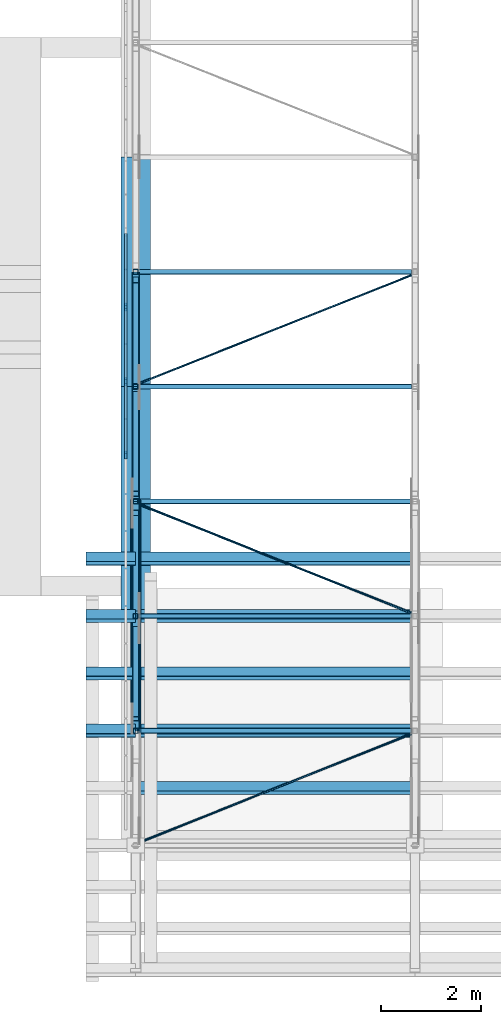
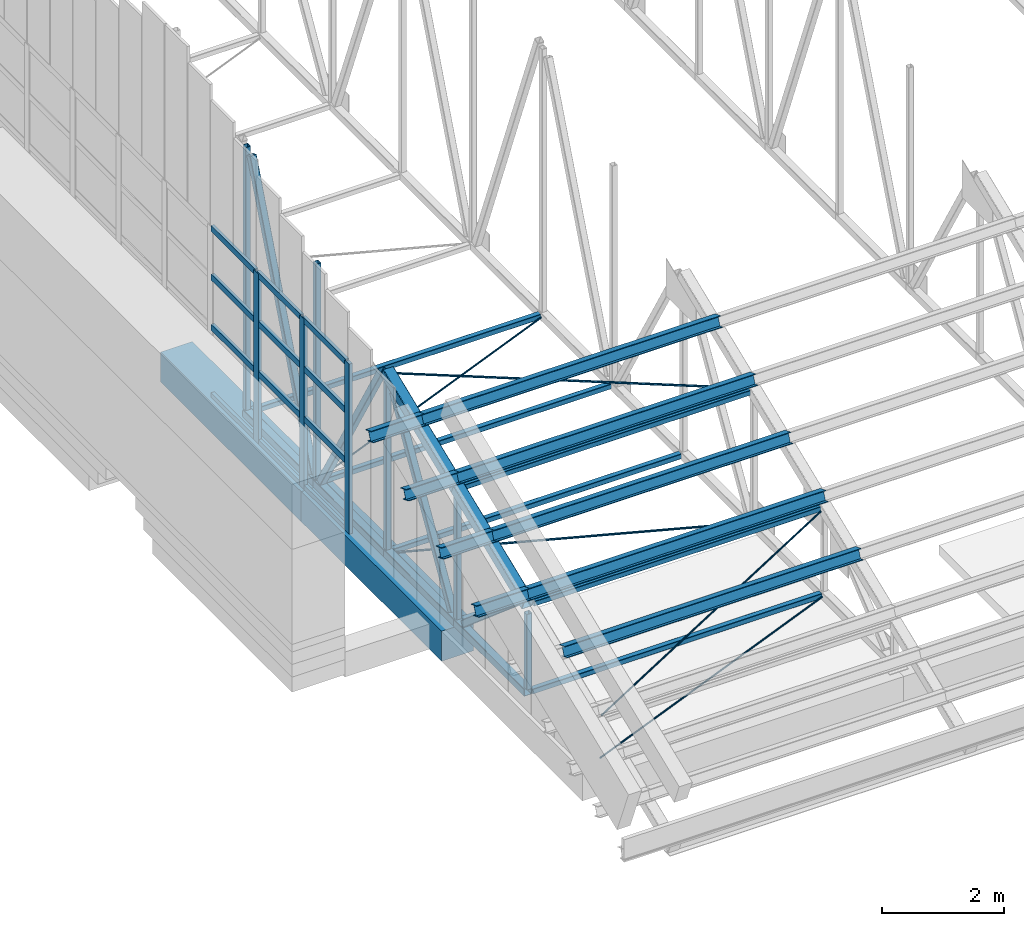
# One storey, part 4 of 71: 51 members, 2 beams, 1 element without a shape of its own.
"""IFC4 building model written with IfcOpenShell, lengths in metres."""

from ifc_helpers import new_model, si_unit, direction, frame, origin, origin_2d, place, context, subcontext, project, spatial, rectangle, hollow_rectangle, circle, i_section, extrude, material, layer, layer_set, material_profile, profile_set, type_object, element, aggregate, save


model = new_model("IFC4")

# Units and contexts
model_context = context("Model", 3, precision=1e-05, world=origin(), true_north=direction((0.0, 1.0)))
body_context = subcontext(model_context, "Body", "Model", "MODEL_VIEW")
ifc_project = project(units=[si_unit("LENGTHUNIT", "METRE"), si_unit("AREAUNIT", "SQUARE_METRE"), si_unit("VOLUMEUNIT", "CUBIC_METRE"), si_unit("PLANEANGLEUNIT", "RADIAN"), si_unit("MASSUNIT", "GRAM", prefix="KILO")], contexts=[model_context])

# Site, building, storey
site_placement = place(None, origin())
site = spatial("IfcSite", under=ifc_project, at=site_placement, CompositionType="ELEMENT")
building_placement = place(site_placement, origin())
building = spatial("IfcBuilding", under=site, at=building_placement, Name="Wasatch Bagh Community Centre", CompositionType="ELEMENT")
storey_placement = place(building_placement, frame((0.0, 0.0, 12.60009765625)))
storey = spatial("IfcBuildingStorey", under=building, at=storey_placement, Name="L03", CompositionType="ELEMENT", Elevation=12.60009765625)

# Members
ifc_material_1 = material(Name="ASTM A500 Grade C steel", Category="steel")
ifc_material_profile_1 = material_profile(ifc_material_1, hollow_rectangle(XDim=0.1015625, YDim=0.1015625, WallThickness=0.005859375, InnerFilletRadius=0.005859375, OuterFilletRadius=0.01171875, at=origin_2d()), Name="HSS4x4x1/4")
ifc_profile_set_1 = profile_set([ifc_material_profile_1], Name="ASTM A500 Grade C steel")
member_type_1 = type_object("IfcMemberType", Name="SH HSS4x4x1/4 post", PredefinedType="POST", material=ifc_profile_set_1)
member_1_placement = place(storey_placement, frame((112.199951171875, 40.5, 0.76220703125), z_axis=(0.0, 0.0, 1.0), x_axis=(1.0, 0.0, 0.0)))
element("IfcMember", 1, at=member_1_placement, inside=storey, type_object=member_type_1, Name="SH.SA1.PS02", PredefinedType="POST", context=body_context, shape_type="SweptSolid", body=[
    extrude(hollow_rectangle(XDim=0.1015625, YDim=0.1015625, WallThickness=0.005859375, InnerFilletRadius=0.005859375, OuterFilletRadius=0.01171875, at=origin_2d()), origin(), (0.0, 0.0, 1.0), 1.504638671875),
])
member_2_placement = place(storey_placement, frame((112.199951171875, 42.800048828125, 0.76220703125), z_axis=(0.0, 0.0, 1.0), x_axis=(1.0, 0.0, 0.0)))
element("IfcMember", 2, at=member_2_placement, inside=storey, type_object=member_type_1, Name="SH.SA1.PS03", PredefinedType="POST", context=body_context, shape_type="SweptSolid", body=[
    extrude(hollow_rectangle(XDim=0.1015625, YDim=0.1015625, WallThickness=0.005859375, InnerFilletRadius=0.005859375, OuterFilletRadius=0.01171875, at=origin_2d()), origin(), (0.0, 0.0, 1.0), 2.44189453125),
])
member_3_placement = place(storey_placement, frame((112.199951171875, 45.10009765625, 0.76220703125), z_axis=(0.0, 0.0, 1.0), x_axis=(1.0, 0.0, 0.0)))
element("IfcMember", 3, at=member_3_placement, inside=storey, type_object=member_type_1, Name="SH.SA1.PS04", PredefinedType="POST", context=body_context, shape_type="SweptSolid", body=[
    extrude(hollow_rectangle(XDim=0.1015625, YDim=0.1015625, WallThickness=0.005859375, InnerFilletRadius=0.005859375, OuterFilletRadius=0.01171875, at=origin_2d()), origin(), (0.0, 0.0, 1.0), 3.37890625),
])
member_4_placement = place(storey_placement, frame((112.199951171875, 47.39990234375, 0.76220703125), z_axis=(0.0, 0.0, 1.0), x_axis=(1.0, 0.0, 0.0)))
element("IfcMember", 4, at=member_4_placement, inside=storey, type_object=member_type_1, Name="SH.SA1.PS05", PredefinedType="POST", context=body_context, shape_type="SweptSolid", body=[
    extrude(hollow_rectangle(XDim=0.1015625, YDim=0.1015625, WallThickness=0.005859375, InnerFilletRadius=0.005859375, OuterFilletRadius=0.01171875, at=origin_2d()), origin(), (0.0, 0.0, 1.0), 4.316162109375),
])
member_5_placement = place(storey_placement, frame((112.199951171875, 49.699951171875, 0.76220703125), z_axis=(0.0, 0.0, 1.0), x_axis=(1.0, 0.0, 0.0)))
element("IfcMember", 5, at=member_5_placement, inside=storey, type_object=member_type_1, Name="SH.SA1.PS06", PredefinedType="POST", context=body_context, shape_type="SweptSolid", body=[
    extrude(hollow_rectangle(XDim=0.1015625, YDim=0.1015625, WallThickness=0.005859375, InnerFilletRadius=0.005859375, OuterFilletRadius=0.01171875, at=origin_2d()), origin(), (0.0, 0.0, 1.0), 5.25341796875),
])
ifc_material_profile_2 = material_profile(ifc_material_1, hollow_rectangle(XDim=0.1015625, YDim=0.1015625, WallThickness=0.005859375, InnerFilletRadius=0.005859375, OuterFilletRadius=0.01171875, at=origin_2d()), Name="HSS4x4x1/4")
ifc_profile_set_2 = profile_set([ifc_material_profile_2], Name="ASTM A500 Grade C steel")
member_type_2 = type_object("IfcMemberType", Name="SH HSS4x4x1/4 strut", PredefinedType="STRUT", material=ifc_profile_set_2)
for number, where, z_axis, x_axis, name in (
    (6, (112.29541015625, 40.5, 2.4296875), (1.0, 0.0, 0.0), (0.0, 1.0, 0.0), "SH.BR.wT.ST01E"),
    (7, (112.29541015625, 42.800048828125, 3.35888671875), (1.0, 0.0, 0.0), (0.0, 1.0, 0.0), "SH.BR.wT.ST03W"),
):
    element("IfcMember", number, at=place(storey_placement, frame(where, z_axis=z_axis, x_axis=x_axis)), inside=storey, type_object=member_type_2, Name=name, PredefinedType="STRUT", context=body_context, shape_type="SweptSolid", body=[
        extrude(hollow_rectangle(XDim=0.1015625, YDim=0.1015625, WallThickness=0.005859375, InnerFilletRadius=0.005859375, OuterFilletRadius=0.01171875, at=origin_2d()), origin(), (0.0, 0.0, 1.0), 5.4091796875),
    ])
for number, where, z_axis, x_axis, name in (
    (8, (112.27001953125, 40.5, 0.68603515625), (1.0, 0.0, 0.0), (0.0, 1.0, 0.0), "SH.BR.wB.ST01E"),
    (9, (112.27001953125, 42.800048828125, 0.68603515625), (1.0, 0.0, 0.0), (0.0, 1.0, 0.0), "SH.BR.wB.ST03W"),
    (10, (112.27001953125, 45.10009765625, 0.68603515625), (1.0, 0.0, 0.0), (0.0, 1.0, 0.0), "SH.BR.wB.ST03E"),
    (11, (112.27001953125, 47.39990234375, 0.68603515625), (1.0, 0.0, 0.0), (0.0, 1.0, 0.0), "SH.BR.wB.ST05W"),
    (12, (112.27001953125, 49.699951171875, 0.68603515625), (1.0, 0.0, 0.0), (0.0, 1.0, 0.0), "SH.BR.wB.ST05E"),
):
    element("IfcMember", number, at=place(storey_placement, frame(where, z_axis=z_axis, x_axis=x_axis)), inside=storey, type_object=member_type_2, Name=name, PredefinedType="STRUT", context=body_context, shape_type="SweptSolid", body=[
        extrude(hollow_rectangle(XDim=0.1015625, YDim=0.1015625, WallThickness=0.005859375, InnerFilletRadius=0.005859375, OuterFilletRadius=0.01171875, at=origin_2d()), origin(), (0.0, 0.0, 1.0), 5.4599609375),
    ])
ifc_material_profile_3 = material_profile(ifc_material_1, hollow_rectangle(XDim=0.126953125, YDim=0.126953125, WallThickness=0.00732421875, InnerFilletRadius=0.00732421875, OuterFilletRadius=0.0146484375, at=origin_2d()), Name="HSS5x5x5/16")
ifc_profile_set_3 = profile_set([ifc_material_profile_3], Name="ASTM A500 Grade C steel")
member_type_3 = type_object("IfcMemberType", Name="SH HSS5x5x5/16 brace", PredefinedType="BRACE", material=ifc_profile_set_3)
member_6_placement = place(storey_placement, frame((112.199951171875, 42.5498046875, 0.81103515625), z_axis=(0.0, -0.760719100191, 0.649081235751), x_axis=(1.0, 0.0, 0.0)))
element("IfcMember", 13, at=member_6_placement, inside=storey, type_object=member_type_3, Name="SH.SA1.WB02", PredefinedType="BRACE", context=body_context, shape_type="SweptSolid", body=[
    extrude(hollow_rectangle(XDim=0.126953125, YDim=0.126953125, WallThickness=0.00732421875, InnerFilletRadius=0.00732421875, OuterFilletRadius=0.0146484375, at=origin_2d()), origin(), (0.0, 0.0, 1.0), 2.377197265625),
])
member_7_placement = place(storey_placement, frame((112.199951171875, 42.953857421875, 0.795166015625), z_axis=(0.0, 0.5113669513, 0.859362462014), x_axis=(-1.0, 0.0, 0.0)))
element("IfcMember", 14, at=member_7_placement, inside=storey, type_object=member_type_3, Name="SH.SA1.WB03", PredefinedType="BRACE", context=body_context, shape_type="SweptSolid", body=[
    extrude(hollow_rectangle(XDim=0.126953125, YDim=0.126953125, WallThickness=0.00732421875, InnerFilletRadius=0.00732421875, OuterFilletRadius=0.0146484375, at=origin_2d()), origin(), (0.0, 0.0, 1.0), 3.744873046875),
])
member_8_placement = place(storey_placement, frame((112.199951171875, 47.24755859375, 0.794677734375), z_axis=(0.0, -0.50383651599, 0.863799030536), x_axis=(1.0, 0.0, 0.0)))
element("IfcMember", 15, at=member_8_placement, inside=storey, type_object=member_type_3, Name="SH.SA1.WB04", PredefinedType="BRACE", context=body_context, shape_type="SweptSolid", body=[
    extrude(hollow_rectangle(XDim=0.126953125, YDim=0.126953125, WallThickness=0.00732421875, InnerFilletRadius=0.00732421875, OuterFilletRadius=0.0146484375, at=origin_2d()), origin(), (0.0, 0.0, 1.0), 3.958984375),
])
member_9_placement = place(storey_placement, frame((112.199951171875, 47.52490234375, 0.785888671875), z_axis=(0.0, 0.365198017435, 0.930929862053), x_axis=(-1.0, 0.0, 0.0)))
element("IfcMember", 16, at=member_9_placement, inside=storey, type_object=member_type_3, Name="SH.SA1.WB05", PredefinedType="BRACE", context=body_context, shape_type="SweptSolid", body=[
    extrude(hollow_rectangle(XDim=0.126953125, YDim=0.126953125, WallThickness=0.00732421875, InnerFilletRadius=0.00732421875, OuterFilletRadius=0.0146484375, at=origin_2d()), origin(), (0.0, 0.0, 1.0), 5.52001953125),
])
ifc_material_profile_4 = material_profile(ifc_material_1, hollow_rectangle(XDim=0.15234375, YDim=0.15234375, WallThickness=0.0087890625, InnerFilletRadius=0.0087890625, OuterFilletRadius=0.017822265625, at=origin_2d()), Name="HSS6x6x3/8")
ifc_profile_set_4 = profile_set([ifc_material_profile_4], Name="ASTM A500 Grade C steel")
member_type_4 = type_object("IfcMemberType", Name="SH HSS6x6x3/8 chord", PredefinedType="CHORD", material=ifc_profile_set_4)
for number, where, z_axis, x_axis, name in (
    (17, (112.199951171875, 40.5, 0.68603515625), (0.0, 1.0, 0.0), (-1.0, 0.0, 0.0), "SH.SA1.BC02"),
    (18, (112.199951171875, 42.800048828125, 0.68603515625), (0.0, 1.0, 0.0), (-1.0, 0.0, 0.0), "SH.SA1.BC03"),
):
    element("IfcMember", number, at=place(storey_placement, frame(where, z_axis=z_axis, x_axis=x_axis)), inside=storey, type_object=member_type_4, Name=name, PredefinedType="CHORD", context=body_context, shape_type="SweptSolid", body=[
        extrude(hollow_rectangle(XDim=0.15234375, YDim=0.15234375, WallThickness=0.0087890625, InnerFilletRadius=0.0087890625, OuterFilletRadius=0.017822265625, at=origin_2d()), origin(), (0.0, 0.0, 1.0), 2.300048828125),
    ])
member_10_placement = place(storey_placement, frame((112.199951171875, 45.10009765625, 0.68603515625), z_axis=(0.0, 1.0, 0.0), x_axis=(-1.0, 0.0, 0.0)))
element("IfcMember", 19, at=member_10_placement, inside=storey, type_object=member_type_4, Name="SH.SA1.BC04", PredefinedType="CHORD", context=body_context, shape_type="SweptSolid", body=[
    extrude(hollow_rectangle(XDim=0.15234375, YDim=0.15234375, WallThickness=0.0087890625, InnerFilletRadius=0.0087890625, OuterFilletRadius=0.017822265625, at=origin_2d()), origin(), (0.0, 0.0, 1.0), 2.2998046875),
])
member_11_placement = place(storey_placement, frame((112.199951171875, 47.39990234375, 0.68603515625), z_axis=(0.0, 1.0, 0.0), x_axis=(-1.0, 0.0, 0.0)))
element("IfcMember", 20, at=member_11_placement, inside=storey, type_object=member_type_4, Name="SH.SA1.BC05", PredefinedType="CHORD", context=body_context, shape_type="SweptSolid", body=[
    extrude(hollow_rectangle(XDim=0.15234375, YDim=0.15234375, WallThickness=0.0087890625, InnerFilletRadius=0.0087890625, OuterFilletRadius=0.017822265625, at=origin_2d()), origin(), (0.0, 0.0, 1.0), 2.300048828125),
])
ifc_material_profile_5 = material_profile(ifc_material_1, hollow_rectangle(XDim=0.203125, YDim=0.203125, WallThickness=0.01171875, InnerFilletRadius=0.01171875, OuterFilletRadius=0.023681640625, at=origin_2d()), Name="HSS8x8x1/2")
ifc_profile_set_5 = profile_set([ifc_material_profile_5], Name="ASTM A500 Grade C steel")
member_type_5 = type_object("IfcMemberType", Name="SH HSS8x8x1/2 chord", PredefinedType="CHORD", material=ifc_profile_set_5)
member_12_placement = place(storey_placement, frame((112.199951171875, 40.50048828125, 2.4296875), z_axis=(0.0, 0.927174106992, 0.374630718605), x_axis=(-1.0, 0.0, 0.0)))
element("IfcMember", 21, at=member_12_placement, inside=storey, type_object=member_type_5, Name="SH.SA1.TC03", PredefinedType="CHORD", context=body_context, shape_type="SweptSolid", body=[
    extrude(hollow_rectangle(XDim=0.203125, YDim=0.203125, WallThickness=0.01171875, InnerFilletRadius=0.01171875, OuterFilletRadius=0.023681640625, at=origin_2d()), origin(), (0.0, 0.0, 1.0), 2.479736328125),
])
member_13_placement = place(storey_placement, frame((112.199951171875, 42.800537109375, 3.359130859375), z_axis=(0.0, 0.92720830339, 0.374546074769), x_axis=(-1.0, 0.0, 0.0)))
element("IfcMember", 22, at=member_13_placement, inside=storey, type_object=member_type_5, Name="SH.SA1.TC04", PredefinedType="CHORD", context=body_context, shape_type="SweptSolid", body=[
    extrude(hollow_rectangle(XDim=0.203125, YDim=0.203125, WallThickness=0.01171875, InnerFilletRadius=0.01171875, OuterFilletRadius=0.023681640625, at=origin_2d()), origin(), (0.0, 0.0, 1.0), 2.4794921875),
])

# Beams
ifc_material_2 = material(Name="Concrete C40", Category="concrete")
ifc_material_profile_6 = material_profile(ifc_material_2, rectangle(XDim=0.60009765625, YDim=0.60009765625, at=origin_2d()), Name="RC 600x600")
ifc_profile_set_6 = profile_set([ifc_material_profile_6], Name="Concrete C40")
beam_type = type_object("IfcBeamType", Name="SH RC 600x600 beam", PredefinedType="BEAM", material=ifc_profile_set_6)
beam_1_placement = place(storey_placement, frame((112.199951171875, 42.800048828125, 0.2998046875), z_axis=(0.0, 1.0, 0.0), x_axis=(-1.0, 0.0, 0.0)))
element("IfcBeam", 23, at=beam_1_placement, inside=storey, type_object=beam_type, Name="SH.beam.L03.ring14", PredefinedType="BEAM", context=body_context, shape_type="SweptSolid", body=[
    extrude(rectangle(XDim=0.60009765625, YDim=0.60009765625, at=origin_2d()), origin(), (0.0, 0.0, 1.0), 4.599853515625),
])
beam_2_placement = place(storey_placement, frame((112.199951171875, 47.39990234375, 0.2998046875), z_axis=(0.0, 1.0, 0.0), x_axis=(-1.0, 0.0, 0.0)))
element("IfcBeam", 24, at=beam_2_placement, inside=storey, type_object=beam_type, Name="SH.beam.L03.ring15", PredefinedType="BEAM", context=body_context, shape_type="SweptSolid", body=[
    extrude(rectangle(XDim=0.60009765625, YDim=0.60009765625, at=origin_2d()), origin(), (0.0, 0.0, 1.0), 4.60009765625),
])

# Members
ifc_material_3 = material(Name="ASTM A572 Grade 50 steel", Category="steel")
ifc_material_profile_7 = material_profile(ifc_material_3, circle(Radius=0.01611328125, at=origin_2d()), Name="ROD 32")
ifc_profile_set_7 = profile_set([ifc_material_profile_7], Name="ASTM A572 Grade 50 steel")
member_type_6 = type_object("IfcMemberType", Name="SH ROD 32 brace", PredefinedType="BRACE", material=ifc_profile_set_7)
for number, where, z_axis, x_axis, name in (
    (25, (112.3037109375, 38.268798828125, 1.528076171875), (0.917838613984, 0.368041316735, 0.148720771435), (-0.372180247551, 0.928160472835, 0.0), "SH.BR.wT.DG01"),
    (26, (112.3037109375, 45.03125, 4.26025390625), (0.917830247713, -0.368079515313, -0.148677862474), (0.372216447055, 0.928145956486, 0.0), "SH.BR.wT.DG03"),
):
    element("IfcMember", number, at=place(storey_placement, frame(where, z_axis=z_axis, x_axis=x_axis)), inside=storey, type_object=member_type_6, Name=name, PredefinedType="BRACE", context=body_context, shape_type="SweptSolid", body=[
        extrude(circle(Radius=0.01611328125, at=origin_2d()), origin(), (0.0, 0.0, 1.0), 5.875244140625),
    ])
for number, where, z_axis, x_axis, name in (
    (27, (112.27587890625, 38.267822265625, 0.68603515625), (0.929355805049, 0.369185302553, 0.0), (-0.369185302553, 0.929355805049, 0.0), "SH.BR.wB.DG01"),
    (28, (112.27587890625, 45.0322265625, 0.68603515625), (0.929355805049, -0.369185302553, 0.0), (0.369185302553, 0.929355805049, 0.0), "SH.BR.wB.DG03"),
    (29, (112.27587890625, 47.4677734375, 0.68603515625), (0.929355805049, 0.369185302553, 0.0), (-0.369185302553, 0.929355805049, 0.0), "SH.BR.wB.DG05"),
):
    element("IfcMember", number, at=place(storey_placement, frame(where, z_axis=z_axis, x_axis=x_axis)), inside=storey, type_object=member_type_6, Name=name, PredefinedType="BRACE", context=body_context, shape_type="SweptSolid", body=[
        extrude(circle(Radius=0.01611328125, at=origin_2d()), origin(), (0.0, 0.0, 1.0), 5.8623046875),
    ])
ifc_material_4 = material(Name="ASTM A992 Grade 50 steel", Category="steel")
ifc_material_profile_8 = material_profile(ifc_material_4, i_section(OverallWidth=0.203125, OverallDepth=0.203125, WebThickness=0.00732421875, FlangeThickness=0.010986328125, at=origin_2d()), Name="W8x31")
ifc_profile_set_8 = profile_set([ifc_material_profile_8], Name="ASTM A992 Grade 50 steel")
member_type_7 = type_object("IfcMemberType", Name="SH W8x31 purlin", PredefinedType="PURLIN", material=ifc_profile_set_8)
for number, where, z_axis, x_axis, name in (
    (30, (112.199951171875, 39.35009765625, 2.18408203125), (1.0, 0.0, 0.0), (0.0, 0.927183854567, -0.374606593416), "SH.PUR.b1.PU05"),
    (31, (112.199951171875, 40.5, 2.648681640625), (1.0, 0.0, 0.0), (0.0, 0.927183854567, -0.374606593416), "SH.PUR.b1.PU06"),
    (32, (112.199951171875, 41.64990234375, 3.11328125), (1.0, 0.0, 0.0), (0.0, 0.927183854567, -0.374606593416), "SH.PUR.b1.PU07"),
    (33, (112.199951171875, 42.800048828125, 3.577880859375), (1.0, 0.0, 0.0), (0.0, 0.927183854567, -0.374606593416), "SH.PUR.b1.PU08"),
    (34, (112.199951171875, 43.949951171875, 4.042724609375), (1.0, 0.0, 0.0), (0.0, 0.927183854567, -0.374606593416), "SH.PUR.b1.PU09"),
):
    element("IfcMember", number, at=place(storey_placement, frame(where, z_axis=z_axis, x_axis=x_axis)), inside=storey, type_object=member_type_7, Name=name, PredefinedType="PURLIN", context=body_context, shape_type="SweptSolid", body=[
        extrude(i_section(OverallWidth=0.203125, OverallDepth=0.203125, WebThickness=0.00732421875, FlangeThickness=0.010986328125, at=origin_2d()), origin(), (0.0, 0.0, 1.0), 5.60009765625),
    ])
for number, where, z_axis, x_axis, name in (
    (35, (111.199951171875, 40.5, 2.648681640625), (1.0, 0.0, 0.0), (0.0, 0.927183854567, -0.374606593416), "SH.PUR.v1.PU06"),
    (36, (111.199951171875, 41.64990234375, 3.11328125), (1.0, 0.0, 0.0), (0.0, 0.927183854567, -0.374606593416), "SH.PUR.v1.PU07"),
    (37, (111.199951171875, 42.800048828125, 3.577880859375), (1.0, 0.0, 0.0), (0.0, 0.927183854567, -0.374606593416), "SH.PUR.v1.PU08"),
    (38, (111.199951171875, 43.949951171875, 4.042724609375), (1.0, 0.0, 0.0), (0.0, 0.927183854567, -0.374606593416), "SH.PUR.v1.PU09"),
):
    element("IfcMember", number, at=place(storey_placement, frame(where, z_axis=z_axis, x_axis=x_axis)), inside=storey, type_object=member_type_7, Name=name, PredefinedType="PURLIN", context=body_context, shape_type="SweptSolid", body=[
        extrude(i_section(OverallWidth=0.203125, OverallDepth=0.203125, WebThickness=0.00732421875, FlangeThickness=0.010986328125, at=origin_2d()), origin(), (0.0, 0.0, 1.0), 1.0),
    ])

# Curtain wall, members
ifc_material_5 = material(Name="Aluminium alloy 6063-T6", Category="aluminium")
ifc_layer = layer(ifc_material_5, 0.10009765625)
ifc_layer_set = layer_set([ifc_layer], Name="Aluminium alloy 6063-T6")
curtain_wall_type = type_object("IfcCurtainWallType", Name="SH-CW2", PredefinedType="NOTDEFINED", material=ifc_layer_set)
curtain_wall_placement = place(storey_placement, origin())
curtain_wall = element("IfcCurtainWall", 39, at=curtain_wall_placement, inside=storey, type_object=curtain_wall_type, Name="Curtain wall SH-CW2", PredefinedType="NOTDEFINED")
ifc_material_profile_9 = material_profile(ifc_material_5, rectangle(XDim=0.06005859375, YDim=0.159912109375, at=origin_2d()), Name="AL 60x160")
ifc_profile_set_9 = profile_set([ifc_material_profile_9], Name="Aluminium alloy 6063-T6")
member_type_8 = type_object("IfcMemberType", Name="SH-CW2 mullion", PredefinedType="MULLION", material=ifc_profile_set_9)
member_14_placement = place(storey_placement, frame((112.0, 46.030029296875, 0.599853515625), z_axis=(0.0, 0.0, 1.0), x_axis=(-1.0, 0.0, 0.0)))
member_14 = element("IfcMember", 40, at=member_14_placement, type_object=member_type_8, Name="SH-CW2 mullion 1", PredefinedType="MULLION", context=body_context, shape_type="SweptSolid", body=[
    extrude(rectangle(XDim=0.06005859375, YDim=0.159912109375, at=origin_2d()), origin(), (0.0, 0.0, 1.0), 3.400146484375),
])
member_15_placement = place(storey_placement, frame((112.0, 47.5, 0.599853515625), z_axis=(0.0, 0.0, 1.0), x_axis=(-1.0, 0.0, 0.0)))
member_15 = element("IfcMember", 41, at=member_15_placement, type_object=member_type_8, Name="SH-CW2 mullion 2", PredefinedType="MULLION", context=body_context, shape_type="SweptSolid", body=[
    extrude(rectangle(XDim=0.06005859375, YDim=0.159912109375, at=origin_2d()), origin(), (0.0, 0.0, 1.0), 3.400146484375),
])
member_16_placement = place(storey_placement, frame((112.0, 49.0, 0.599853515625), z_axis=(0.0, 0.0, 1.0), x_axis=(-1.0, 0.0, 0.0)))
member_16 = element("IfcMember", 42, at=member_16_placement, type_object=member_type_8, Name="SH-CW2 mullion 3", PredefinedType="MULLION", context=body_context, shape_type="SweptSolid", body=[
    extrude(rectangle(XDim=0.06005859375, YDim=0.159912109375, at=origin_2d()), origin(), (0.0, 0.0, 1.0), 3.400146484375),
])
ifc_material_profile_10 = material_profile(ifc_material_5, rectangle(XDim=0.06005859375, YDim=0.1201171875, at=origin_2d()), Name="AL 60x120")
ifc_profile_set_10 = profile_set([ifc_material_profile_10], Name="Aluminium alloy 6063-T6")
member_type_9 = type_object("IfcMemberType", Name="SH-CW2 transom", PredefinedType="USERDEFINED", material=ifc_profile_set_10)
member_17_placement = place(storey_placement, frame((112.0, 46.06005859375, 0.6298828125), z_axis=(0.0, 1.0, 0.0), x_axis=(-1.0, 0.0, 0.0)))
member_17 = element("IfcMember", 43, at=member_17_placement, type_object=member_type_9, Name="SH-CW2 transom 1.1", ObjectType="TRANSOM", PredefinedType="USERDEFINED", context=body_context, shape_type="SweptSolid", body=[
    extrude(rectangle(XDim=0.06005859375, YDim=0.1201171875, at=origin_2d()), origin(), (0.0, 0.0, 1.0), 1.409912109375),
])
member_18_placement = place(storey_placement, frame((112.0, 46.06005859375, 2.0), z_axis=(0.0, 1.0, 0.0), x_axis=(-1.0, 0.0, 0.0)))
member_18 = element("IfcMember", 44, at=member_18_placement, type_object=member_type_9, Name="SH-CW2 transom 1.2", ObjectType="TRANSOM", PredefinedType="USERDEFINED", context=body_context, shape_type="SweptSolid", body=[
    extrude(rectangle(XDim=0.06005859375, YDim=0.1201171875, at=origin_2d()), origin(), (0.0, 0.0, 1.0), 1.409912109375),
])
member_19_placement = place(storey_placement, frame((112.0, 46.06005859375, 3.0), z_axis=(0.0, 1.0, 0.0), x_axis=(-1.0, 0.0, 0.0)))
member_19 = element("IfcMember", 45, at=member_19_placement, type_object=member_type_9, Name="SH-CW2 transom 1.3", ObjectType="TRANSOM", PredefinedType="USERDEFINED", context=body_context, shape_type="SweptSolid", body=[
    extrude(rectangle(XDim=0.06005859375, YDim=0.1201171875, at=origin_2d()), origin(), (0.0, 0.0, 1.0), 1.409912109375),
])
member_20_placement = place(storey_placement, frame((112.0, 46.06005859375, 3.969970703125), z_axis=(0.0, 1.0, 0.0), x_axis=(-1.0, 0.0, 0.0)))
member_20 = element("IfcMember", 46, at=member_20_placement, type_object=member_type_9, Name="SH-CW2 transom 1.4", ObjectType="TRANSOM", PredefinedType="USERDEFINED", context=body_context, shape_type="SweptSolid", body=[
    extrude(rectangle(XDim=0.06005859375, YDim=0.1201171875, at=origin_2d()), origin(), (0.0, 0.0, 1.0), 1.409912109375),
])
member_21_placement = place(storey_placement, frame((112.0, 47.530029296875, 0.6298828125), z_axis=(0.0, 1.0, 0.0), x_axis=(-1.0, 0.0, 0.0)))
member_21 = element("IfcMember", 47, at=member_21_placement, type_object=member_type_9, Name="SH-CW2 transom 2.1", ObjectType="TRANSOM", PredefinedType="USERDEFINED", context=body_context, shape_type="SweptSolid", body=[
    extrude(rectangle(XDim=0.06005859375, YDim=0.1201171875, at=origin_2d()), origin(), (0.0, 0.0, 1.0), 1.43994140625),
])
member_22_placement = place(storey_placement, frame((112.0, 47.530029296875, 2.0), z_axis=(0.0, 1.0, 0.0), x_axis=(-1.0, 0.0, 0.0)))
member_22 = element("IfcMember", 48, at=member_22_placement, type_object=member_type_9, Name="SH-CW2 transom 2.2", ObjectType="TRANSOM", PredefinedType="USERDEFINED", context=body_context, shape_type="SweptSolid", body=[
    extrude(rectangle(XDim=0.06005859375, YDim=0.1201171875, at=origin_2d()), origin(), (0.0, 0.0, 1.0), 1.43994140625),
])
member_23_placement = place(storey_placement, frame((112.0, 47.530029296875, 3.0), z_axis=(0.0, 1.0, 0.0), x_axis=(-1.0, 0.0, 0.0)))
member_23 = element("IfcMember", 49, at=member_23_placement, type_object=member_type_9, Name="SH-CW2 transom 2.3", ObjectType="TRANSOM", PredefinedType="USERDEFINED", context=body_context, shape_type="SweptSolid", body=[
    extrude(rectangle(XDim=0.06005859375, YDim=0.1201171875, at=origin_2d()), origin(), (0.0, 0.0, 1.0), 1.43994140625),
])
member_24_placement = place(storey_placement, frame((112.0, 47.530029296875, 3.969970703125), z_axis=(0.0, 1.0, 0.0), x_axis=(-1.0, 0.0, 0.0)))
member_24 = element("IfcMember", 50, at=member_24_placement, type_object=member_type_9, Name="SH-CW2 transom 2.4", ObjectType="TRANSOM", PredefinedType="USERDEFINED", context=body_context, shape_type="SweptSolid", body=[
    extrude(rectangle(XDim=0.06005859375, YDim=0.1201171875, at=origin_2d()), origin(), (0.0, 0.0, 1.0), 1.43994140625),
])
member_25_placement = place(storey_placement, frame((112.0, 49.030029296875, 0.6298828125), z_axis=(0.0, 1.0, 0.0), x_axis=(-1.0, 0.0, 0.0)))
member_25 = element("IfcMember", 51, at=member_25_placement, type_object=member_type_9, Name="SH-CW2 transom 3.1", ObjectType="TRANSOM", PredefinedType="USERDEFINED", context=body_context, shape_type="SweptSolid", body=[
    extrude(rectangle(XDim=0.06005859375, YDim=0.1201171875, at=origin_2d()), origin(), (0.0, 0.0, 1.0), 1.43994140625),
])
member_26_placement = place(storey_placement, frame((112.0, 49.030029296875, 2.0), z_axis=(0.0, 1.0, 0.0), x_axis=(-1.0, 0.0, 0.0)))
member_26 = element("IfcMember", 52, at=member_26_placement, type_object=member_type_9, Name="SH-CW2 transom 3.2", ObjectType="TRANSOM", PredefinedType="USERDEFINED", context=body_context, shape_type="SweptSolid", body=[
    extrude(rectangle(XDim=0.06005859375, YDim=0.1201171875, at=origin_2d()), origin(), (0.0, 0.0, 1.0), 1.43994140625),
])
member_27_placement = place(storey_placement, frame((112.0, 49.030029296875, 3.0), z_axis=(0.0, 1.0, 0.0), x_axis=(-1.0, 0.0, 0.0)))
member_27 = element("IfcMember", 53, at=member_27_placement, type_object=member_type_9, Name="SH-CW2 transom 3.3", ObjectType="TRANSOM", PredefinedType="USERDEFINED", context=body_context, shape_type="SweptSolid", body=[
    extrude(rectangle(XDim=0.06005859375, YDim=0.1201171875, at=origin_2d()), origin(), (0.0, 0.0, 1.0), 1.43994140625),
])
member_28_placement = place(storey_placement, frame((112.0, 49.030029296875, 3.969970703125), z_axis=(0.0, 1.0, 0.0), x_axis=(-1.0, 0.0, 0.0)))
member_28 = element("IfcMember", 54, at=member_28_placement, type_object=member_type_9, Name="SH-CW2 transom 3.4", ObjectType="TRANSOM", PredefinedType="USERDEFINED", context=body_context, shape_type="SweptSolid", body=[
    extrude(rectangle(XDim=0.06005859375, YDim=0.1201171875, at=origin_2d()), origin(), (0.0, 0.0, 1.0), 1.43994140625),
])
aggregate(curtain_wall, [member_14, member_15, member_16, member_17, member_18, member_19, member_20, member_21, member_22, member_23, member_24, member_25, member_26, member_27, member_28])

save(model, "model.ifc")
